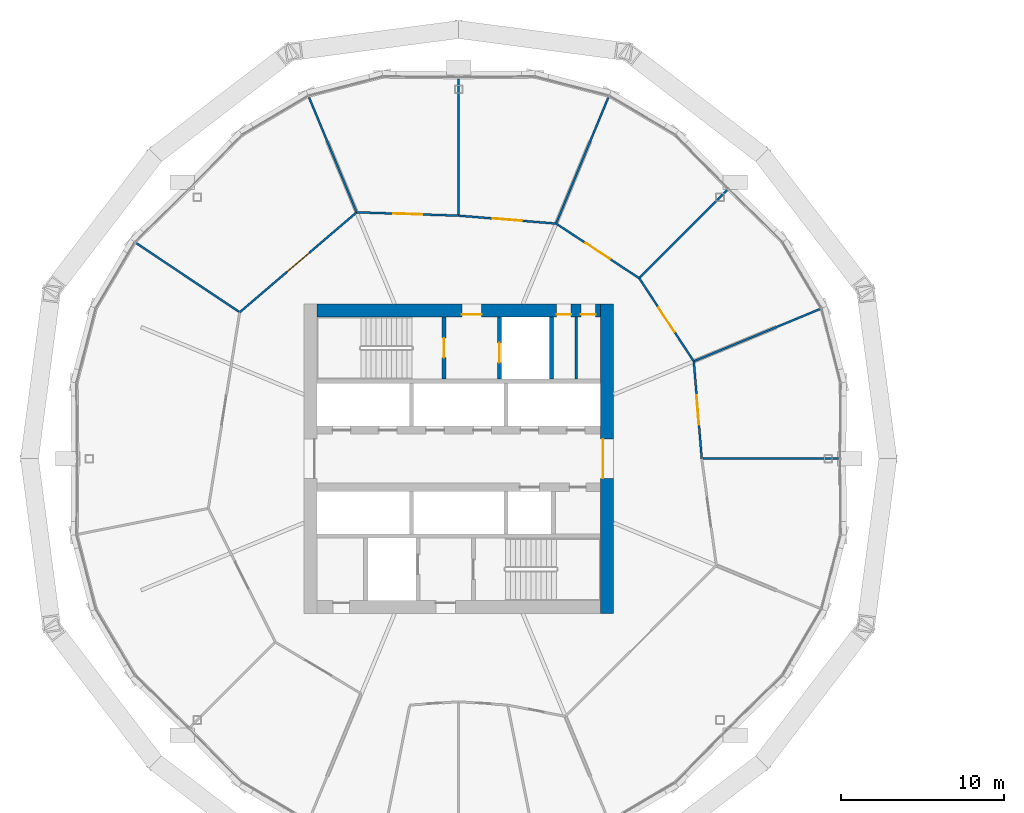
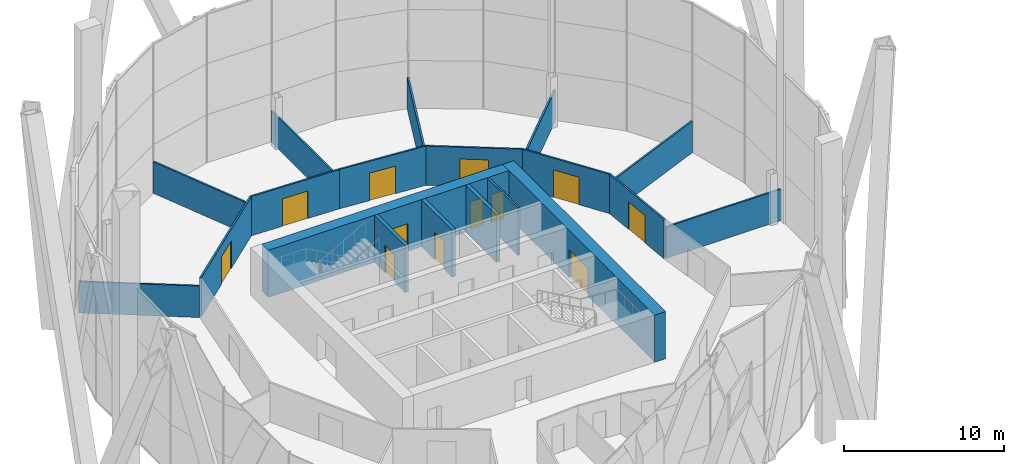
# One storey, part 20 of 26: 19 walls, 12 doors, 12 openings.
"""IFC4 building model written with IfcOpenShell, lengths in metres."""

from ifc_helpers import new_model, si_unit, direction, frame, frame_2d, origin, place, context, subcontext, project, spatial, rectangle, extrude, material, layer, layer_set, type_object, element, fill, save


model = new_model("IFC4")

# Units and contexts
model_context = context("Model", 3, precision=1e-05, world=origin(), true_north=direction((0.0, 1.0)))
body_context = subcontext(model_context, "Body", "Model", "MODEL_VIEW")
ifc_project = project(units=[si_unit("LENGTHUNIT", "METRE"), si_unit("AREAUNIT", "SQUARE_METRE"), si_unit("VOLUMEUNIT", "CUBIC_METRE"), si_unit("PLANEANGLEUNIT", "RADIAN"), si_unit("MASSUNIT", "GRAM", prefix="KILO")], contexts=[model_context])

# Site, building, storey
site_placement = place(None, origin())
site = spatial("IfcSite", under=ifc_project, at=site_placement, CompositionType="ELEMENT")
building_placement = place(site_placement, origin())
building = spatial("IfcBuilding", under=site, at=building_placement, Name="Ogive Gate Towers", CompositionType="ELEMENT")
storey_placement = place(building_placement, frame((0.0, 0.0, 76.199951171875)))
storey = spatial("IfcBuildingStorey", under=building, at=storey_placement, Name="L17", CompositionType="ELEMENT", Elevation=76.199951171875)

# Wall, openings, doors
ifc_material_1 = material(Name="Concrete C60/75", Category="concrete")
ifc_layer_1 = layer(ifc_material_1, 0.800048828125)
ifc_layer_set_1 = layer_set([ifc_layer_1], Name="Core wall 800 mm")
wall_type_1 = type_object("IfcWallType", Name="Core wall 800 mm", PredefinedType="SHEAR", material=ifc_layer_set_1)
wall_1_placement = place(storey_placement, frame((-44.699951171875, 9.10009765625, 0.0), z_axis=(0.0, 0.0, 1.0), x_axis=(1.0, 0.0, 0.0)))
wall_1 = element("IfcWall", 1, at=wall_1_placement, inside=storey, type_object=wall_type_1, Name="T1 L17 Core wall 800 mm", PredefinedType="SHEAR", context=body_context, shape_type="SweptSolid", body=[
    extrude(rectangle(XDim=17.39990234375, YDim=0.800048828125, at=frame_2d((8.699951171875, 0.0))), origin(), (0.0, 0.0, 1.0), 3.60009765625),
])
opening_1_placement = place(wall_1_placement, frame((8.89990234375, 0.0, 0.0)))
opening_1 = element("IfcOpeningElement", 2, at=opening_1_placement, cuts=wall_1, Name="Opening KD-T1-L17-15", PredefinedType="OPENING", context=body_context, shape_type="SweptSolid", body=[
    extrude(rectangle(XDim=1.199951171875, YDim=2.10009765625, at=frame_2d((0.60009765625, 1.050048828125))), frame((0.0, 0.41015625, 0.0), z_axis=(0.0, -1.0, 0.0), x_axis=(1.0, 0.0, 0.0)), (0.0, 0.0, 1.0), 0.820068359375),
])
opening_2_placement = place(wall_1_placement, frame((14.699951171875, 0.0, 0.0)))
opening_2 = element("IfcOpeningElement", 3, at=opening_2_placement, cuts=wall_1, Name="Opening KD-T1-L17-17", PredefinedType="OPENING", context=body_context, shape_type="SweptSolid", body=[
    extrude(rectangle(XDim=0.89990234375, YDim=2.10009765625, at=frame_2d((0.449951171875, 1.050048828125))), frame((0.0, 0.41015625, 0.0), z_axis=(0.0, -1.0, 0.0), x_axis=(1.0, 0.0, 0.0)), (0.0, 0.0, 1.0), 0.820068359375),
])
opening_3_placement = place(wall_1_placement, frame((16.199951171875, 0.0, 0.0)))
opening_3 = element("IfcOpeningElement", 4, at=opening_3_placement, cuts=wall_1, Name="Opening KD-T1-L17-18", PredefinedType="OPENING", context=body_context, shape_type="SweptSolid", body=[
    extrude(rectangle(XDim=0.89990234375, YDim=2.10009765625, at=frame_2d((0.449951171875, 1.050048828125))), frame((0.0, 0.41015625, 0.0), z_axis=(0.0, -1.0, 0.0), x_axis=(1.0, 0.0, 0.0)), (0.0, 0.0, 1.0), 0.820068359375),
])
ifc_material_2 = material(Name="Timber door", Category="wood")
door_type_1 = type_object("IfcDoorType", Name="Core WC door 900 x 2100", OperationType="NOTDEFINED", PredefinedType="DOOR", material=ifc_material_2)
door_1_placement = place(opening_2_placement, origin())
door_1 = element("IfcDoor", 5, at=door_1_placement, inside=storey, type_object=door_type_1, Name="T1 L17 Core door", OperationType="SINGLE_SWING_RIGHT", OverallHeight=2.10009765625, OverallWidth=0.89990234375, PredefinedType="DOOR", context=body_context, shape_type="SweptSolid", body=[
    extrude(rectangle(XDim=0.89990234375, YDim=2.10009765625, at=frame_2d((0.449951171875, 1.050048828125))), frame((0.0, -0.22509765625, 0.0), z_axis=(0.0, -1.0, 0.0), x_axis=(1.0, 0.0, 0.0)), (0.0, 0.0, 1.0), 0.050048828125),
])
fill(opening_2, door_1)
door_2_placement = place(opening_3_placement, origin())
door_2 = element("IfcDoor", 6, at=door_2_placement, inside=storey, type_object=door_type_1, Name="T1 L17 Core door", OperationType="SINGLE_SWING_LEFT", OverallHeight=2.10009765625, OverallWidth=0.89990234375, PredefinedType="DOOR", context=body_context, shape_type="SweptSolid", body=[
    extrude(rectangle(XDim=0.89990234375, YDim=2.10009765625, at=frame_2d((0.449951171875, 1.050048828125))), frame((0.0, -0.22509765625, 0.0), z_axis=(0.0, -1.0, 0.0), x_axis=(1.0, 0.0, 0.0)), (0.0, 0.0, 1.0), 0.050048828125),
])
fill(opening_3, door_2)
ifc_material_3 = material(Name="Steel fire door", Category="steel")
door_type_2 = type_object("IfcDoorType", Name="Core door FD60S 1200 x 2100", OperationType="NOTDEFINED", PredefinedType="DOOR", material=ifc_material_3)
door_3_placement = place(opening_1_placement, origin())
door_3 = element("IfcDoor", 7, at=door_3_placement, inside=storey, type_object=door_type_2, Name="T1 L17 Fire-fighting lobby door", OperationType="SINGLE_SWING_RIGHT", OverallHeight=2.10009765625, OverallWidth=1.199951171875, PredefinedType="DOOR", context=body_context, shape_type="SweptSolid", body=[
    extrude(rectangle(XDim=1.199951171875, YDim=2.10009765625, at=frame_2d((0.60009765625, 1.050048828125))), frame((0.0, -0.22509765625, 0.0), z_axis=(0.0, -1.0, 0.0), x_axis=(1.0, 0.0, 0.0)), (0.0, 0.0, 1.0), 0.050048828125),
])
fill(opening_1, door_3)

# Wall, opening, door
wall_2_placement = place(storey_placement, frame((-26.89990234375, -9.5, 0.0), z_axis=(0.0, 0.0, 1.0), x_axis=(0.0, 1.0, 0.0)))
wall_2 = element("IfcWall", 8, at=wall_2_placement, inside=storey, type_object=wall_type_1, Name="T1 L17 Core wall 800 mm", PredefinedType="SHEAR", context=body_context, shape_type="SweptSolid", body=[
    extrude(rectangle(XDim=19.0, YDim=0.800048828125, at=frame_2d((9.5, 0.0))), origin(), (0.0, 0.0, 1.0), 3.60009765625),
])
opening_4_placement = place(wall_2_placement, frame((8.300048828125, 0.0, 0.0)))
opening_4 = element("IfcOpeningElement", 9, at=opening_4_placement, cuts=wall_2, Name="Opening KD-T1-L17-02", PredefinedType="OPENING", context=body_context, shape_type="SweptSolid", body=[
    extrude(rectangle(XDim=2.39990234375, YDim=2.10009765625, at=frame_2d((1.199951171875, 1.050048828125))), frame((0.0, 0.41015625, 0.0), z_axis=(0.0, -1.0, 0.0), x_axis=(1.0, 0.0, 0.0)), (0.0, 0.0, 1.0), 0.820068359375),
])
door_type_3 = type_object("IfcDoorType", Name="Core double door FD60S 2400 x 2100", OperationType="DOUBLE_DOOR_SINGLE_SWING", PredefinedType="DOOR", material=ifc_material_3)
door_4_placement = place(opening_4_placement, origin())
door_4 = element("IfcDoor", 10, at=door_4_placement, inside=storey, type_object=door_type_3, Name="T1 L17 Core door double", OperationType="DOUBLE_DOOR_SINGLE_SWING", OverallHeight=2.10009765625, OverallWidth=2.39990234375, PredefinedType="DOOR", context=body_context, shape_type="SweptSolid", body=[
    extrude(rectangle(XDim=2.39990234375, YDim=2.10009765625, at=frame_2d((1.199951171875, 1.050048828125))), frame((0.0, 0.27490234375, 0.0), z_axis=(0.0, -1.0, 0.0), x_axis=(1.0, 0.0, 0.0)), (0.0, 0.0, 1.0), 0.050048828125),
])
fill(opening_4, door_4)

# Walls
ifc_material_4 = material(Name="Gypsum board partition")
ifc_layer_2 = layer(ifc_material_4, 0.125)
ifc_layer_set_2 = layer_set([ifc_layer_2], Name="Partition 125")
wall_type_2 = type_object("IfcWallType", Name="Partition 125", PredefinedType="PARTITIONING", material=ifc_layer_set_2)
wall_3_placement = place(storey_placement, frame((-12.700927734375, 0.0, 0.0), z_axis=(0.0, 0.0, 1.0), x_axis=(-1.0, 0.0, 0.0)))
element("IfcWall", 11, at=wall_3_placement, inside=storey, type_object=wall_type_2, Name="Partition T1-L17-001", PredefinedType="PARTITIONING", context=body_context, shape_type="SweptSolid", body=[
    extrude(rectangle(XDim=8.32666015625, YDim=0.125, at=frame_2d((4.163330078125, 0.0))), origin(), (0.0, 0.0, 1.0), 2.400146484375),
])
wall_4_placement = place(storey_placement, frame((-13.826904296875, 9.184326171875, 0.0), z_axis=(0.0, 0.0, 1.0), x_axis=(-0.92388425068, -0.3826720415, 0.0)))
element("IfcWall", 12, at=wall_4_placement, inside=storey, type_object=wall_type_2, Name="Partition T1-L17-002", PredefinedType="PARTITIONING", context=body_context, shape_type="SweptSolid", body=[
    extrude(rectangle(XDim=8.326416015625, YDim=0.125, at=frame_2d((4.1630859375, 0.0))), origin(), (0.0, 0.0, 1.0), 2.400146484375),
])
wall_5_placement = place(storey_placement, frame((-19.525146484375, 16.474853515625, 0.0), z_axis=(0.0, 0.0, 1.0), x_axis=(-0.707106781187, -0.707106781187, 0.0)))
element("IfcWall", 13, at=wall_5_placement, inside=storey, type_object=wall_type_2, Name="Partition T1-L17-003", PredefinedType="PARTITIONING", context=body_context, shape_type="SweptSolid", body=[
    extrude(rectangle(XDim=7.57666015625, YDim=0.125, at=frame_2d((3.788330078125, 0.0))), origin(), (0.0, 0.0, 1.0), 2.400146484375),
])
wall_6_placement = place(storey_placement, frame((-26.815673828125, 22.173095703125, 0.0), z_axis=(0.0, 0.0, 1.0), x_axis=(-0.3826720415, -0.92388425068, 0.0)))
element("IfcWall", 14, at=wall_6_placement, inside=storey, type_object=wall_type_2, Name="Partition T1-L17-004", PredefinedType="PARTITIONING", context=body_context, shape_type="SweptSolid", body=[
    extrude(rectangle(XDim=8.326416015625, YDim=0.125, at=frame_2d((4.1630859375, 0.0))), origin(), (0.0, 0.0, 1.0), 2.400146484375),
])
wall_7_placement = place(storey_placement, frame((-36.0, 23.299072265625, 0.0), z_axis=(0.0, 0.0, 1.0), x_axis=(0.0, -1.0, 0.0)))
element("IfcWall", 15, at=wall_7_placement, inside=storey, type_object=wall_type_2, Name="Partition T1-L17-005", PredefinedType="PARTITIONING", context=body_context, shape_type="SweptSolid", body=[
    extrude(rectangle(XDim=8.32666015625, YDim=0.125, at=frame_2d((4.163330078125, 0.0))), origin(), (0.0, 0.0, 1.0), 2.400146484375),
])
for number, where, z_axis, x_axis, name in (
    (16, (-45.184326171875, 22.173095703125, 0.0), (0.0, 0.0, 1.0), (0.382685713945, -0.923878587447, 0.0), "Partition T1-L17-006"),
    (17, (-55.784423828125, 13.228515625, 0.0), (0.0, 0.0, 1.0), (0.831300960788, -0.555822554951, 0.0), "Partition T1-L17-007"),
):
    element("IfcWall", number, at=place(storey_placement, frame(where, z_axis=z_axis, x_axis=x_axis)), inside=storey, type_object=wall_type_2, Name=name, PredefinedType="PARTITIONING", context=body_context, shape_type="SweptSolid", body=[
        extrude(rectangle(XDim=7.576416015625, YDim=0.125, at=frame_2d((3.7880859375, 0.0))), origin(), (0.0, 0.0, 1.0), 2.400146484375),
    ])

# Wall, opening, door
wall_8_placement = place(storey_placement, frame((-21.090087890625, 0.0, 0.0), z_axis=(0.0, 0.0, 1.0), x_axis=(-0.081299252747, 0.99668973683, 0.0)))
wall_8 = element("IfcWall", 18, at=wall_8_placement, inside=storey, type_object=wall_type_2, Name="Partition T1-L17-021", PredefinedType="PARTITIONING", context=body_context, shape_type="SweptSolid", body=[
    extrude(rectangle(XDim=5.993896484375, YDim=0.125, at=frame_2d((2.9970703125, 0.0))), origin(), (0.0, 0.0, 1.0), 3.0),
])
opening_5_placement = place(wall_8_placement, frame((2.096923828125, 0.0, 0.0)))
opening_5 = element("IfcOpeningElement", 19, at=opening_5_placement, cuts=wall_8, Name="Opening T1-L17-D06", PredefinedType="OPENING", context=body_context, shape_type="SweptSolid", body=[
    extrude(rectangle(XDim=1.800048828125, YDim=2.10009765625, at=frame_2d((0.89990234375, 1.050048828125))), frame((0.0, 0.072509765625, 0.0), z_axis=(0.0, -1.0, 0.0), x_axis=(1.0, 0.0, 0.0)), (0.0, 0.0, 1.0), 0.14501953125),
])
door_type_4 = type_object("IfcDoorType", Name="Door pair 1800", OperationType="NOTDEFINED", PredefinedType="DOOR", material=ifc_material_2)
door_5_placement = place(opening_5_placement, origin())
door_5 = element("IfcDoor", 20, at=door_5_placement, inside=storey, type_object=door_type_4, Name="Door T1-L17-D06", OperationType="DOUBLE_DOOR_DOUBLE_SWING", OverallHeight=2.10009765625, OverallWidth=1.800048828125, PredefinedType="DOOR", context=body_context, shape_type="SweptSolid", body=[
    extrude(rectangle(XDim=1.800048828125, YDim=2.10009765625, at=frame_2d((0.89990234375, 1.050048828125))), frame((0.0, 0.02490234375, 0.0), z_axis=(0.0, -1.0, 0.0), x_axis=(1.0, 0.0, 0.0)), (0.0, 0.0, 1.0), 0.050048828125),
])
fill(opening_5, door_5)

wall_9_placement = place(storey_placement, frame((-21.577392578125, 5.97412109375, 0.0), z_axis=(0.0, 0.0, 1.0), x_axis=(-0.549007787117, 0.835817234618, 0.0)))
wall_9 = element("IfcWall", 21, at=wall_9_placement, inside=storey, type_object=wall_type_2, Name="Partition T1-L17-022", PredefinedType="PARTITIONING", context=body_context, shape_type="SweptSolid", body=[
    extrude(rectangle(XDim=6.100830078125, YDim=0.125, at=frame_2d((3.05029296875, 0.0))), origin(), (0.0, 0.0, 1.0), 3.0),
])
opening_6_placement = place(wall_9_placement, frame((2.14990234375, 0.0, 0.0)))
opening_6 = element("IfcOpeningElement", 22, at=opening_6_placement, cuts=wall_9, Name="Opening T1-L17-D07", PredefinedType="OPENING", context=body_context, shape_type="SweptSolid", body=[
    extrude(rectangle(XDim=1.800048828125, YDim=2.10009765625, at=frame_2d((0.89990234375, 1.050048828125))), frame((0.0, 0.072509765625, 0.0), z_axis=(0.0, -1.0, 0.0), x_axis=(1.0, 0.0, 0.0)), (0.0, 0.0, 1.0), 0.14501953125),
])
door_6_placement = place(opening_6_placement, origin())
door_6 = element("IfcDoor", 23, at=door_6_placement, inside=storey, type_object=door_type_4, Name="Door T1-L17-D07", OperationType="DOUBLE_DOOR_DOUBLE_SWING", OverallHeight=2.10009765625, OverallWidth=1.800048828125, PredefinedType="DOOR", context=body_context, shape_type="SweptSolid", body=[
    extrude(rectangle(XDim=1.800048828125, YDim=2.10009765625, at=frame_2d((0.89990234375, 1.050048828125))), frame((0.0, 0.02490234375, 0.0), z_axis=(0.0, -1.0, 0.0), x_axis=(1.0, 0.0, 0.0)), (0.0, 0.0, 1.0), 0.050048828125),
])
fill(opening_6, door_6)

wall_10_placement = place(storey_placement, frame((-24.9267578125, 11.0732421875, 0.0), z_axis=(0.0, 0.0, 1.0), x_axis=(-0.835817234618, 0.549007787117, 0.0)))
wall_10 = element("IfcWall", 24, at=wall_10_placement, inside=storey, type_object=wall_type_2, Name="Partition T1-L17-023", PredefinedType="PARTITIONING", context=body_context, shape_type="SweptSolid", body=[
    extrude(rectangle(XDim=6.100830078125, YDim=0.125, at=frame_2d((3.05029296875, 0.0))), origin(), (0.0, 0.0, 1.0), 3.0),
])
opening_7_placement = place(wall_10_placement, frame((2.14990234375, 0.0, 0.0)))
opening_7 = element("IfcOpeningElement", 25, at=opening_7_placement, cuts=wall_10, Name="Opening T1-L17-D08", PredefinedType="OPENING", context=body_context, shape_type="SweptSolid", body=[
    extrude(rectangle(XDim=1.800048828125, YDim=2.10009765625, at=frame_2d((0.89990234375, 1.050048828125))), frame((0.0, 0.072509765625, 0.0), z_axis=(0.0, -1.0, 0.0), x_axis=(1.0, 0.0, 0.0)), (0.0, 0.0, 1.0), 0.14501953125),
])
door_7_placement = place(opening_7_placement, origin())
door_7 = element("IfcDoor", 26, at=door_7_placement, inside=storey, type_object=door_type_4, Name="Door T1-L17-D08", OperationType="DOUBLE_DOOR_DOUBLE_SWING", OverallHeight=2.10009765625, OverallWidth=1.800048828125, PredefinedType="DOOR", context=body_context, shape_type="SweptSolid", body=[
    extrude(rectangle(XDim=1.800048828125, YDim=2.10009765625, at=frame_2d((0.89990234375, 1.050048828125))), frame((0.0, 0.02490234375, 0.0), z_axis=(0.0, -1.0, 0.0), x_axis=(1.0, 0.0, 0.0)), (0.0, 0.0, 1.0), 0.050048828125),
])
fill(opening_7, door_7)

wall_11_placement = place(storey_placement, frame((-30.02587890625, 14.422607421875, 0.0), z_axis=(0.0, 0.0, 1.0), x_axis=(-0.99668973683, 0.081299252747, 0.0)))
wall_11 = element("IfcWall", 27, at=wall_11_placement, inside=storey, type_object=wall_type_2, Name="Partition T1-L17-024", PredefinedType="PARTITIONING", context=body_context, shape_type="SweptSolid", body=[
    extrude(rectangle(XDim=5.993896484375, YDim=0.125, at=frame_2d((2.9970703125, 0.0))), origin(), (0.0, 0.0, 1.0), 3.0),
])
opening_8_placement = place(wall_11_placement, frame((2.096923828125, 0.0, 0.0)))
opening_8 = element("IfcOpeningElement", 28, at=opening_8_placement, cuts=wall_11, Name="Opening T1-L17-D09", PredefinedType="OPENING", context=body_context, shape_type="SweptSolid", body=[
    extrude(rectangle(XDim=1.800048828125, YDim=2.10009765625, at=frame_2d((0.89990234375, 1.050048828125))), frame((0.0, 0.072509765625, 0.0), z_axis=(0.0, -1.0, 0.0), x_axis=(1.0, 0.0, 0.0)), (0.0, 0.0, 1.0), 0.14501953125),
])
door_8_placement = place(opening_8_placement, origin())
door_8 = element("IfcDoor", 29, at=door_8_placement, inside=storey, type_object=door_type_4, Name="Door T1-L17-D09", OperationType="DOUBLE_DOOR_DOUBLE_SWING", OverallHeight=2.10009765625, OverallWidth=1.800048828125, PredefinedType="DOOR", context=body_context, shape_type="SweptSolid", body=[
    extrude(rectangle(XDim=1.800048828125, YDim=2.10009765625, at=frame_2d((0.89990234375, 1.050048828125))), frame((0.0, 0.02490234375, 0.0), z_axis=(0.0, -1.0, 0.0), x_axis=(1.0, 0.0, 0.0)), (0.0, 0.0, 1.0), 0.050048828125),
])
fill(opening_8, door_8)

wall_12_placement = place(storey_placement, frame((-36.0, 14.909912109375, 0.0), z_axis=(0.0, 0.0, 1.0), x_axis=(-0.999461435371, 0.032815228254, 0.0)))
wall_12 = element("IfcWall", 30, at=wall_12_placement, inside=storey, type_object=wall_type_2, Name="Partition T1-L17-025", PredefinedType="PARTITIONING", context=body_context, shape_type="SweptSolid", body=[
    extrude(rectangle(XDim=6.264404296875, YDim=0.125, at=frame_2d((3.13232421875, 0.0))), origin(), (0.0, 0.0, 1.0), 3.0),
])
opening_9_placement = place(wall_12_placement, frame((2.23193359375, 0.0, 0.0)))
opening_9 = element("IfcOpeningElement", 31, at=opening_9_placement, cuts=wall_12, Name="Opening T1-L17-D10", PredefinedType="OPENING", context=body_context, shape_type="SweptSolid", body=[
    extrude(rectangle(XDim=1.800048828125, YDim=2.10009765625, at=frame_2d((0.89990234375, 1.050048828125))), frame((0.0, 0.072509765625, 0.0), z_axis=(0.0, -1.0, 0.0), x_axis=(1.0, 0.0, 0.0)), (0.0, 0.0, 1.0), 0.14501953125),
])
door_9_placement = place(opening_9_placement, origin())
door_9 = element("IfcDoor", 32, at=door_9_placement, inside=storey, type_object=door_type_4, Name="Door T1-L17-D10", OperationType="DOUBLE_DOOR_DOUBLE_SWING", OverallHeight=2.10009765625, OverallWidth=1.800048828125, PredefinedType="DOOR", context=body_context, shape_type="SweptSolid", body=[
    extrude(rectangle(XDim=1.800048828125, YDim=2.10009765625, at=frame_2d((0.89990234375, 1.050048828125))), frame((0.0, 0.02490234375, 0.0), z_axis=(0.0, -1.0, 0.0), x_axis=(1.0, 0.0, 0.0)), (0.0, 0.0, 1.0), 0.050048828125),
])
fill(opening_9, door_9)

wall_13_placement = place(storey_placement, frame((-42.260986328125, 15.115478515625, 0.0), z_axis=(0.0, 0.0, 1.0), x_axis=(-0.760070439114, -0.649840694005, 0.0)))
wall_13 = element("IfcWall", 33, at=wall_13_placement, inside=storey, type_object=wall_type_2, Name="Partition T1-L17-026", PredefinedType="PARTITIONING", context=body_context, shape_type="SweptSolid", body=[
    extrude(rectangle(XDim=9.4375, YDim=0.125, at=frame_2d((4.71875, 0.0))), origin(), (0.0, 0.0, 1.0), 3.0),
])
opening_10_placement = place(wall_13_placement, frame((3.819091796875, 0.0, 0.0)))
opening_10 = element("IfcOpeningElement", 34, at=opening_10_placement, cuts=wall_13, Name="Opening T1-L17-D11", PredefinedType="OPENING", context=body_context, shape_type="SweptSolid", body=[
    extrude(rectangle(XDim=1.800048828125, YDim=2.10009765625, at=frame_2d((0.89990234375, 1.050048828125))), frame((0.0, 0.072509765625, 0.0), z_axis=(0.0, -1.0, 0.0), x_axis=(1.0, 0.0, 0.0)), (0.0, 0.0, 1.0), 0.14501953125),
])
door_10_placement = place(opening_10_placement, origin())
door_10 = element("IfcDoor", 35, at=door_10_placement, inside=storey, type_object=door_type_4, Name="Door T1-L17-D11", OperationType="DOUBLE_DOOR_DOUBLE_SWING", OverallHeight=2.10009765625, OverallWidth=1.800048828125, PredefinedType="DOOR", context=body_context, shape_type="SweptSolid", body=[
    extrude(rectangle(XDim=1.800048828125, YDim=2.10009765625, at=frame_2d((0.89990234375, 1.050048828125))), frame((0.0, 0.02490234375, 0.0), z_axis=(0.0, -1.0, 0.0), x_axis=(1.0, 0.0, 0.0)), (0.0, 0.0, 1.0), 0.050048828125),
])
fill(opening_10, door_10)

# Wall
ifc_layer_3 = layer(ifc_material_4, 0.14990234375)
ifc_layer_set_3 = layer_set([ifc_layer_3], Name="Room partition 150 mm")
wall_type_3 = type_object("IfcWallType", Name="Room partition 150 mm", PredefinedType="PARTITIONING", material=ifc_layer_set_3)
wall_14_placement = place(storey_placement, frame((-28.800048828125, 4.875, 0.0), z_axis=(0.0, 0.0, 1.0), x_axis=(0.0, 1.0, 0.0)))
element("IfcWall", 36, at=wall_14_placement, inside=storey, type_object=wall_type_3, Name="T1 L17 Room partition 150 mm", PredefinedType="PARTITIONING", context=body_context, shape_type="SweptSolid", body=[
    extrude(rectangle(XDim=3.824951171875, YDim=0.14990234375, at=frame_2d((1.91259765625, 0.0))), origin(), (0.0, 0.0, 1.0), 3.60009765625),
])

# Wall, opening, door
ifc_layer_4 = layer(ifc_material_1, 0.25)
ifc_layer_set_4 = layer_set([ifc_layer_4], Name="Shaft wall 250 mm")
wall_type_4 = type_object("IfcWallType", Name="Shaft wall 250 mm", PredefinedType="SHEAR", material=ifc_layer_set_4)
wall_15_placement = place(storey_placement, frame((-36.89990234375, 4.875, 0.0), z_axis=(0.0, 0.0, 1.0), x_axis=(0.0, 1.0, 0.0)))
wall_15 = element("IfcWall", 37, at=wall_15_placement, inside=storey, type_object=wall_type_4, Name="T1 L17 Shaft wall 250 mm", PredefinedType="SHEAR", context=body_context, shape_type="SweptSolid", body=[
    extrude(rectangle(XDim=3.824951171875, YDim=0.25, at=frame_2d((1.91259765625, 0.0))), origin(), (0.0, 0.0, 1.0), 3.60009765625),
])
opening_11_placement = place(wall_15_placement, frame((1.324951171875, 0.0, 0.0)))
opening_11 = element("IfcOpeningElement", 38, at=opening_11_placement, cuts=wall_15, Name="Opening KD-T1-L17-13", PredefinedType="OPENING", context=body_context, shape_type="SweptSolid", body=[
    extrude(rectangle(XDim=1.199951171875, YDim=2.10009765625, at=frame_2d((0.60009765625, 1.050048828125))), frame((0.0, 0.135009765625, 0.0), z_axis=(0.0, -1.0, 0.0), x_axis=(1.0, 0.0, 0.0)), (0.0, 0.0, 1.0), 0.27001953125),
])
door_11_placement = place(opening_11_placement, origin())
door_11 = element("IfcDoor", 39, at=door_11_placement, inside=storey, type_object=door_type_2, Name="T1 L17 Stair door", OperationType="SINGLE_SWING_RIGHT", OverallHeight=2.10009765625, OverallWidth=1.199951171875, PredefinedType="DOOR", context=body_context, shape_type="SweptSolid", body=[
    extrude(rectangle(XDim=1.199951171875, YDim=2.10009765625, at=frame_2d((0.60009765625, 1.050048828125))), frame((0.0, 0.02490234375, 0.0), z_axis=(0.0, -1.0, 0.0), x_axis=(1.0, 0.0, 0.0)), (0.0, 0.0, 1.0), 0.050048828125),
])
fill(opening_11, door_11)

wall_16_placement = place(storey_placement, frame((-33.5, 4.875, 0.0), z_axis=(0.0, 0.0, 1.0), x_axis=(0.0, 1.0, 0.0)))
wall_16 = element("IfcWall", 40, at=wall_16_placement, inside=storey, type_object=wall_type_4, Name="T1 L17 Shaft wall 250 mm", PredefinedType="SHEAR", context=body_context, shape_type="SweptSolid", body=[
    extrude(rectangle(XDim=3.824951171875, YDim=0.25, at=frame_2d((1.91259765625, 0.0))), origin(), (0.0, 0.0, 1.0), 3.60009765625),
])
opening_12_placement = place(wall_16_placement, frame((1.02490234375, 0.0, 0.0)))
opening_12 = element("IfcOpeningElement", 41, at=opening_12_placement, cuts=wall_16, Name="Opening LD-T1-L17-10", PredefinedType="OPENING", context=body_context, shape_type="SweptSolid", body=[
    extrude(rectangle(XDim=1.199951171875, YDim=2.10009765625, at=frame_2d((0.60009765625, 1.050048828125))), frame((0.0, 0.135009765625, 0.0), z_axis=(0.0, -1.0, 0.0), x_axis=(1.0, 0.0, 0.0)), (0.0, 0.0, 1.0), 0.27001953125),
])
ifc_material_5 = material(Name="Stainless steel landing door", Category="steel")
door_type_5 = type_object("IfcDoorType", Name="Landing door 1200 x 2100", OperationType="SLIDING_TO_LEFT", PredefinedType="DOOR", material=ifc_material_5)
door_12_placement = place(opening_12_placement, origin())
door_12 = element("IfcDoor", 42, at=door_12_placement, inside=storey, type_object=door_type_5, Name="T1 L17 Lift landing door FF1", OperationType="SLIDING_TO_LEFT", OverallHeight=2.10009765625, OverallWidth=1.199951171875, PredefinedType="DOOR", context=body_context, shape_type="SweptSolid", body=[
    extrude(rectangle(XDim=1.199951171875, YDim=2.10009765625, at=frame_2d((0.60009765625, 1.050048828125))), frame((0.0, 0.02490234375, 0.0), z_axis=(0.0, -1.0, 0.0), x_axis=(1.0, 0.0, 0.0)), (0.0, 0.0, 1.0), 0.050048828125),
])
fill(opening_12, door_12)

# Wall
wall_17_placement = place(storey_placement, frame((-30.300048828125, 4.875, 0.0), z_axis=(0.0, 0.0, 1.0), x_axis=(0.0, 1.0, 0.0)))
element("IfcWall", 43, at=wall_17_placement, inside=storey, type_object=wall_type_4, Name="T1 L17 Shaft wall 250 mm", PredefinedType="SHEAR", context=body_context, shape_type="SweptSolid", body=[
    extrude(rectangle(XDim=3.824951171875, YDim=0.25, at=frame_2d((1.91259765625, 0.0))), origin(), (0.0, 0.0, 1.0), 3.60009765625),
])

save(model, "model.ifc")
